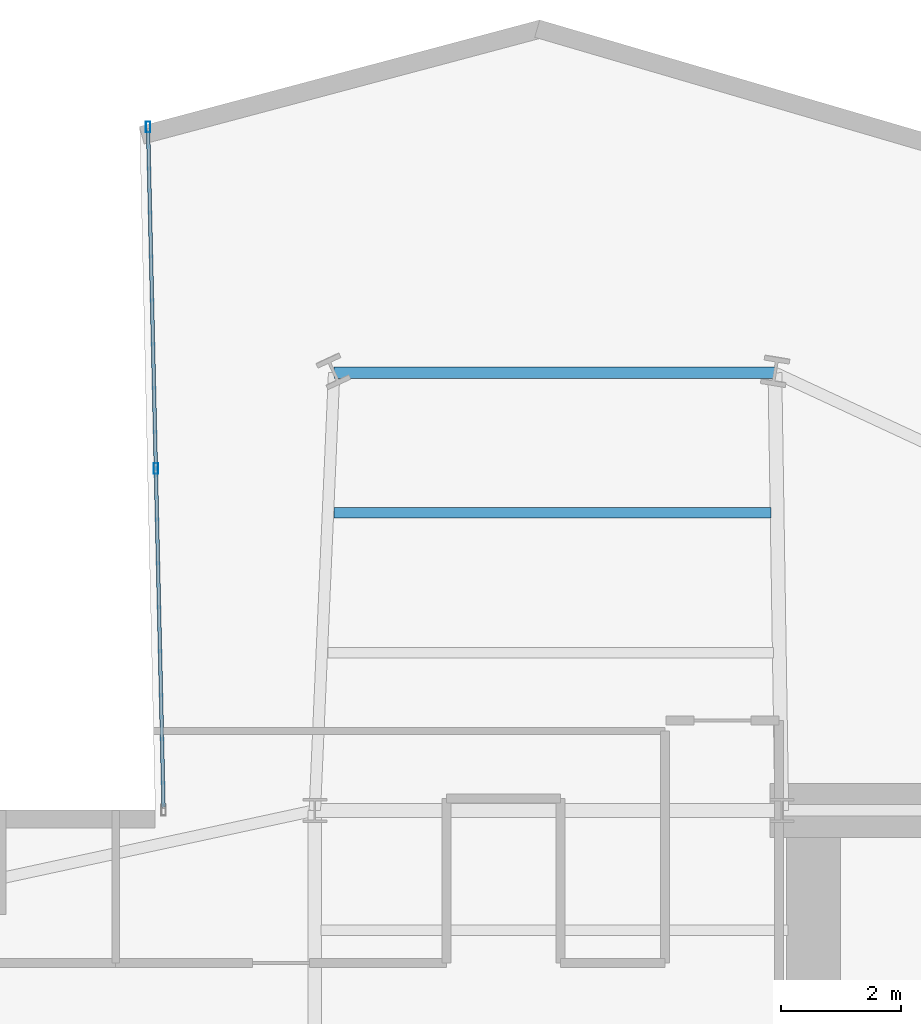
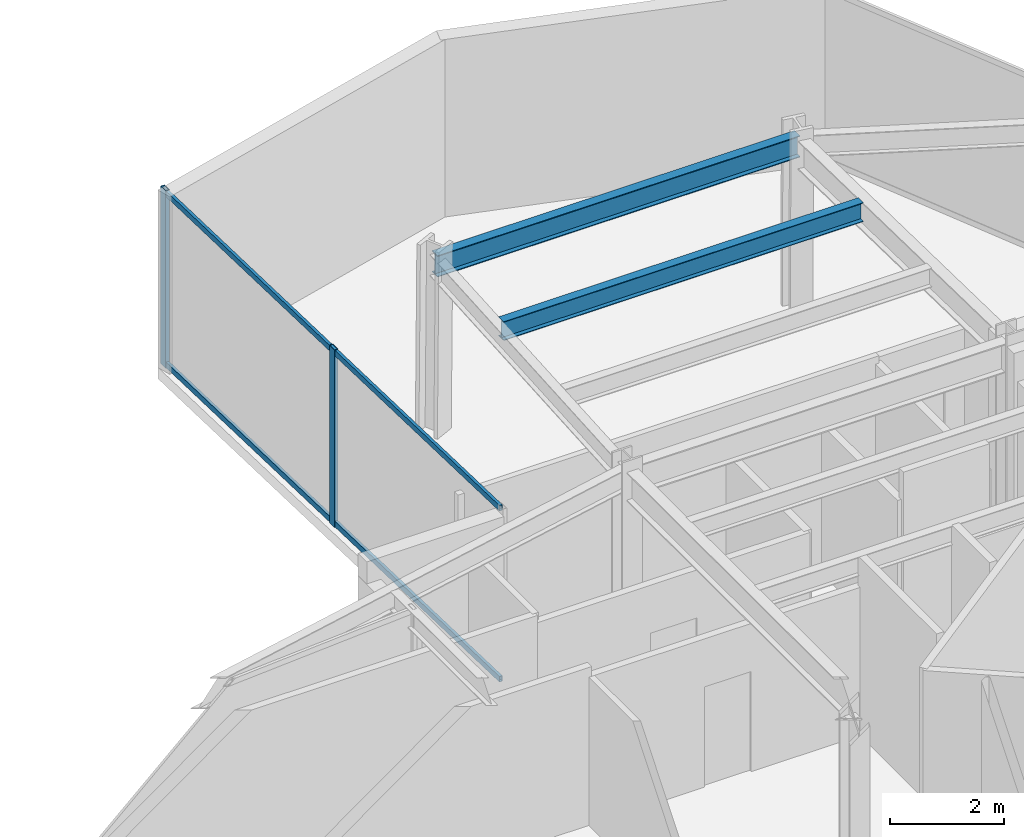
# One storey, part 18 of 27: 4 members, 2 beams, 1 element without a shape of its own.
"""IFC4 building model written with IfcOpenShell, lengths in metres."""

from ifc_helpers import new_model, si_unit, direction, frame, origin, origin_2d, place, context, subcontext, project, spatial, hollow_rectangle, i_section, extrude, material, layer, layer_set, material_profile, profile_set, type_object, element, aggregate, save


model = new_model("IFC4")

# Units and contexts
model_context = context("Model", 3, precision=1e-05, world=origin(), true_north=direction((0.0, 1.0)))
body_context = subcontext(model_context, "Body", "Model", "MODEL_VIEW")
ifc_project = project(units=[si_unit("LENGTHUNIT", "METRE"), si_unit("AREAUNIT", "SQUARE_METRE"), si_unit("VOLUMEUNIT", "CUBIC_METRE"), si_unit("PLANEANGLEUNIT", "RADIAN"), si_unit("MASSUNIT", "GRAM", prefix="KILO")], contexts=[model_context])

# Site, building, storey
site_placement = place(None, origin())
site = spatial("IfcSite", under=ifc_project, at=site_placement, CompositionType="ELEMENT")
building_placement = place(site_placement, origin())
building = spatial("IfcBuilding", under=site, at=building_placement, Name="Veymaron Broadcast Tower", CompositionType="ELEMENT")
storey_placement = place(building_placement, frame((0.0, 0.0, 86.39990234375)))
storey = spatial("IfcBuildingStorey", under=building, at=storey_placement, Name="L19", CompositionType="ELEMENT", Elevation=86.39990234375)

# Beams
ifc_material_1 = material(Name="Structural steel ASTM A992 Gr 50", Category="steel")
ifc_material_profile_1 = material_profile(ifc_material_1, i_section(OverallWidth=0.177978515625, OverallDepth=0.406982421875, WebThickness=0.0078125, FlangeThickness=0.0126953125, at=origin_2d()), Name="W410X60")
ifc_profile_set_1 = profile_set([ifc_material_profile_1], Name="Structural steel ASTM A992 Gr 50")
beam_type_1 = type_object("IfcBeamType", Name="BM-JS1", PredefinedType="JOIST", material=ifc_profile_set_1)
beam_1_placement = place(storey_placement, frame((31.51904296875, 36.970703125, 3.606689453125), z_axis=(1.0, 0.0, 0.0), x_axis=(0.0, 1.0, 0.0)))
element("IfcBeam", 1, at=beam_1_placement, inside=storey, type_object=beam_type_1, Name="L19 Arm-B secondary joist 2", PredefinedType="JOIST", context=body_context, shape_type="SweptSolid", body=[
    extrude(i_section(OverallWidth=0.177978515625, OverallDepth=0.406982421875, WebThickness=0.0078125, FlangeThickness=0.0126953125, at=origin_2d()), origin(), (0.0, 0.0, 1.0), 7.302734375),
])
ifc_material_profile_2 = material_profile(ifc_material_1, i_section(OverallWidth=0.19091796875, OverallDepth=0.4599609375, WebThickness=0.010009765625, FlangeThickness=0.01611328125, at=origin_2d()), Name="W460X82")
ifc_profile_set_2 = profile_set([ifc_material_profile_2], Name="Structural steel ASTM A992 Gr 50")
beam_type_2 = type_object("IfcBeamType", Name="BM-SP1", PredefinedType="SPANDREL", material=ifc_profile_set_2)
beam_2_placement = place(storey_placement, frame((31.52197265625, 39.31005859375, 3.580078125), z_axis=(1.0, 0.0, 0.0), x_axis=(0.0, 1.0, 0.0)))
element("IfcBeam", 2, at=beam_2_placement, inside=storey, type_object=beam_type_2, Name="L19 primary structural floor girder", PredefinedType="SPANDREL", context=body_context, shape_type="SweptSolid", body=[
    extrude(i_section(OverallWidth=0.19091796875, OverallDepth=0.4599609375, WebThickness=0.010009765625, FlangeThickness=0.01611328125, at=origin_2d()), origin(), (0.0, 0.0, 1.0), 7.363037109375),
])

# Curtain wall, members
ifc_material_2 = material(Name="Anodised aluminium AA 6063-T6 and laminated low-E dark glass", Category="aluminium")
ifc_layer = layer(ifc_material_2, 0.179931640625)
ifc_layer_set = layer_set([ifc_layer], Name="Anodised aluminium AA 6063-T6 and laminated low-E dark glass")
curtain_wall_type = type_object("IfcCurtainWallType", Name="CW-SYS-02", PredefinedType="NOTDEFINED", material=ifc_layer_set)
curtain_wall_placement = place(storey_placement, origin())
curtain_wall = element("IfcCurtainWall", 3, at=curtain_wall_placement, inside=storey, type_object=curtain_wall_type, Name="L19 dark-glass curtain wall CW-L19-E9-1", PredefinedType="NOTDEFINED")
ifc_material_3 = material(Name="Anodised aluminium AA 6063-T6", Category="aluminium")
ifc_material_profile_3 = material_profile(ifc_material_3, hollow_rectangle(XDim=0.074951171875, YDim=0.179931640625, WallThickness=0.0048828125, at=origin_2d()), Name="AL180X75X5")
ifc_profile_set_3 = profile_set([ifc_material_profile_3], Name="Anodised aluminium AA 6063-T6")
member_type_1 = type_object("IfcMemberType", Name="CW-MUL-02", PredefinedType="MULLION", material=ifc_profile_set_3)
member_1_placement = place(storey_placement, frame((28.413818359375, 43.417236328125, 0.0), z_axis=(0.0, 0.0, 1.0), x_axis=(1.0, 0.0, 0.0)))
member_1 = element("IfcMember", 4, at=member_1_placement, type_object=member_type_1, Name="CW-L19-E9-1 mullion 0", PredefinedType="MULLION", context=body_context, shape_type="SweptSolid", body=[
    extrude(hollow_rectangle(XDim=0.074951171875, YDim=0.179931640625, WallThickness=0.0048828125, at=origin_2d()), origin(), (0.0, 0.0, 1.0), 3.81005859375),
])
member_2_placement = place(storey_placement, frame((28.543701171875, 37.710205078125, 0.0), z_axis=(0.0, 0.0, 1.0), x_axis=(1.0, 0.0, 0.0)))
member_2 = element("IfcMember", 5, at=member_2_placement, type_object=member_type_1, Name="CW-L19-E9-1 mullion 1", PredefinedType="MULLION", context=body_context, shape_type="SweptSolid", body=[
    extrude(hollow_rectangle(XDim=0.074951171875, YDim=0.179931640625, WallThickness=0.0048828125, at=origin_2d()), origin(), (0.0, 0.0, 1.0), 3.81005859375),
])
ifc_material_profile_4 = material_profile(ifc_material_3, hollow_rectangle(XDim=0.06005859375, YDim=0.1201171875, WallThickness=0.00390625, at=origin_2d()), Name="AL120X60X4")
ifc_profile_set_4 = profile_set([ifc_material_profile_4], Name="Anodised aluminium AA 6063-T6")
member_type_2 = type_object("IfcMemberType", Name="CW-TRN-02", PredefinedType="USERDEFINED", material=ifc_profile_set_4)
member_3_placement = place(storey_placement, frame((28.414794921875, 43.3671875, 0.070068359375), z_axis=(0.022781190747, -0.999740474997, 0.0), x_axis=(0.999740474997, 0.022781190747, 0.0)))
member_3 = element("IfcMember", 6, at=member_3_placement, type_object=member_type_2, Name="CW-L19-E9-1 transom B", ObjectType="TRANSOM", PredefinedType="USERDEFINED", context=body_context, shape_type="SweptSolid", body=[
    extrude(hollow_rectangle(XDim=0.06005859375, YDim=0.1201171875, WallThickness=0.00390625, at=origin_2d()), origin(), (0.0, 0.0, 1.0), 11.31689453125),
])
member_4_placement = place(storey_placement, frame((28.414794921875, 43.3671875, 3.739990234375), z_axis=(0.022781190747, -0.999740474997, 0.0), x_axis=(0.999740474997, 0.022781190747, 0.0)))
member_4 = element("IfcMember", 7, at=member_4_placement, type_object=member_type_2, Name="CW-L19-E9-1 transom T", ObjectType="TRANSOM", PredefinedType="USERDEFINED", context=body_context, shape_type="SweptSolid", body=[
    extrude(hollow_rectangle(XDim=0.06005859375, YDim=0.1201171875, WallThickness=0.00390625, at=origin_2d()), origin(), (0.0, 0.0, 1.0), 11.31689453125),
])
aggregate(curtain_wall, [member_1, member_2, member_3, member_4])

save(model, "model.ifc")
